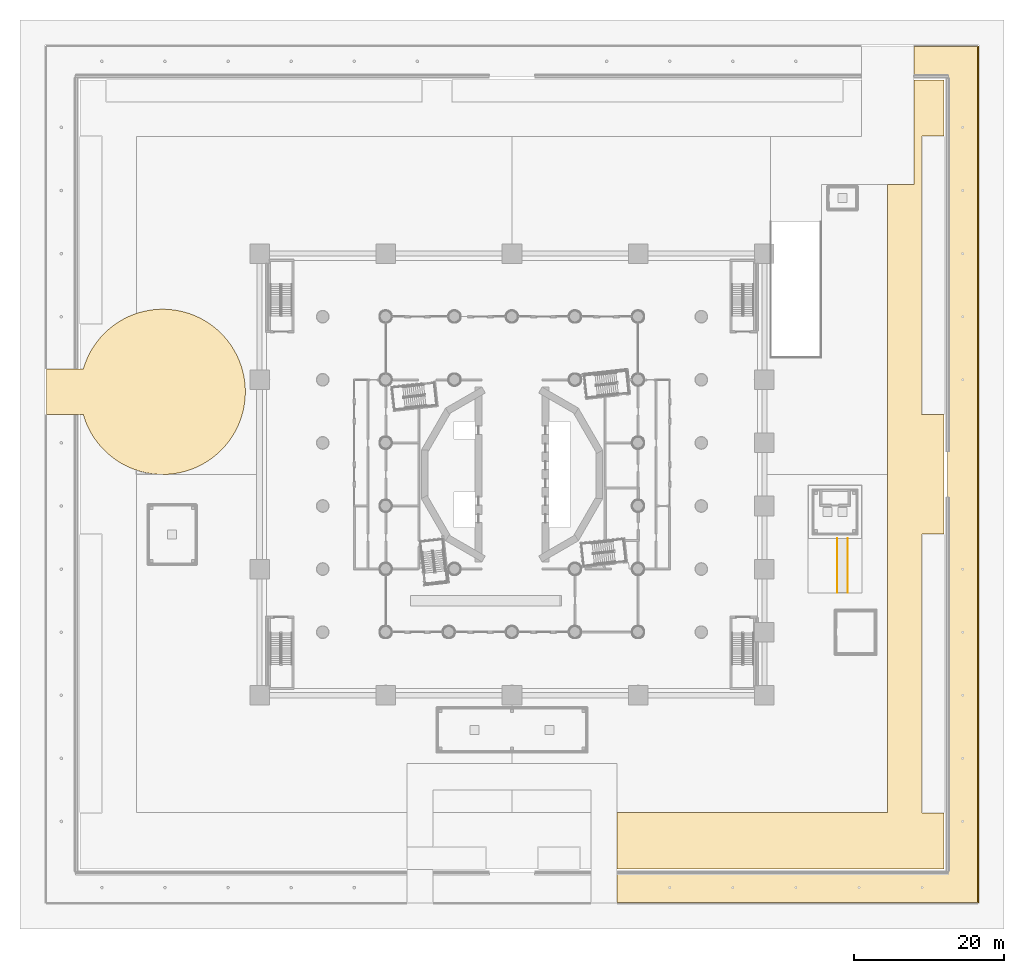
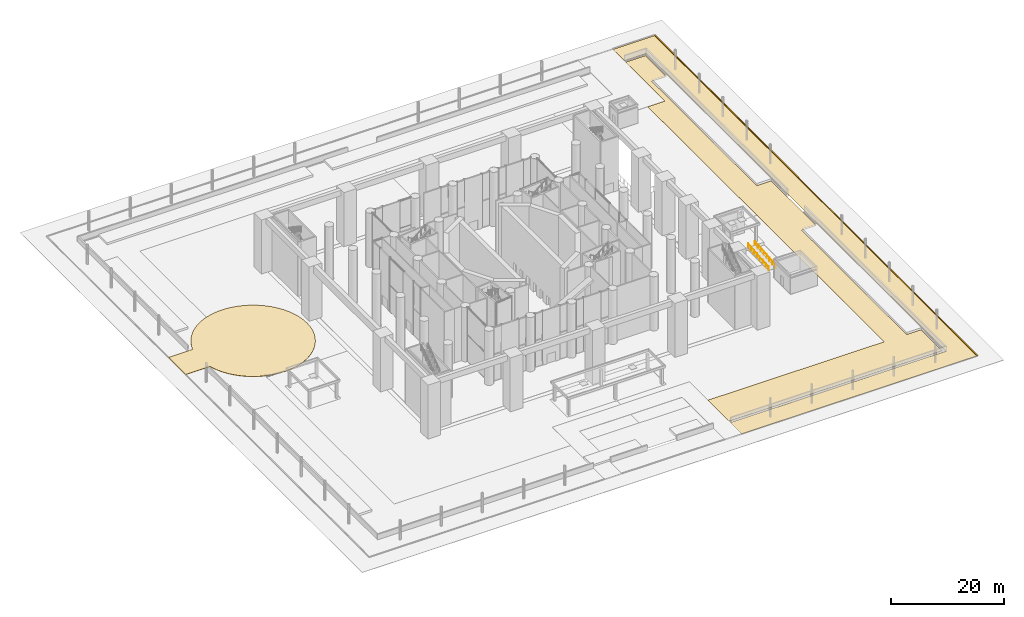
# One storey, part 37 of 52: 4 coverings, 2 railings.
"""IFC4 building model written with IfcOpenShell, lengths in metres."""

from ifc_helpers import new_model, si_unit, direction, frame, origin, origin_2d, place, context, subcontext, project, spatial, polyline, circle, outline, extrude, material, layer, layer_set, type_object, element, save


model = new_model("IFC4")

# Units and contexts
model_context = context("Model", 3, precision=1e-05, world=origin(), true_north=direction((0.0, 1.0)))
body_context = subcontext(model_context, "Body", "Model", "MODEL_VIEW")
ifc_project = project(units=[si_unit("LENGTHUNIT", "METRE"), si_unit("AREAUNIT", "SQUARE_METRE"), si_unit("VOLUMEUNIT", "CUBIC_METRE"), si_unit("PLANEANGLEUNIT", "RADIAN"), si_unit("MASSUNIT", "GRAM", prefix="KILO")], contexts=[model_context])

# Site, building, storey
site_placement = place(None, origin())
site = spatial("IfcSite", under=ifc_project, at=site_placement, CompositionType="ELEMENT")
building_placement = place(site_placement, origin())
building = spatial("IfcBuilding", under=site, at=building_placement, Name="Cantera Rosa Tower", CompositionType="ELEMENT")
storey_placement = place(building_placement, origin())
storey = spatial("IfcBuildingStorey", under=building, at=storey_placement, Name="L00", CompositionType="ELEMENT", Elevation=0.0)

# Coverings
ifc_material_1 = material(Name="Asphalt surfacing")
ifc_layer_1 = layer(ifc_material_1, 0.080078125)
ifc_layer_set_1 = layer_set([ifc_layer_1], Name="Drive surfacing 80")
covering_type_1 = type_object("IfcCoveringType", Name="Drive surfacing 80", PredefinedType="USERDEFINED", material=ifc_layer_set_1)
covering_1_placement = place(storey_placement, origin())
element("IfcCovering", 1, at=covering_1_placement, inside=storey, type_object=covering_type_1, Name="Fire-appliance route and turning area", ObjectType="DRIVE", PredefinedType="USERDEFINED", context=body_context, shape_type="SweptSolid", body=[
    extrude(outline(polyline([(-62.0, 7.949951171875), (-57.067138671875, 7.949951171875), (-57.0263671875, 7.806884765625), (-56.916259765625, 7.464111328125), (-56.794921875, 7.125244140625), (-56.66259765625, 6.79052734375), (-56.51953125, 6.460205078125), (-56.365478515625, 6.134765625), (-56.201171875, 5.814697265625), (-56.0263671875, 5.5), (-55.84130859375, 5.19140625), (-55.646240234375, 4.888671875), (-55.44140625, 4.5927734375), (-55.226806640625, 4.3037109375), (-55.003173828125, 4.021728515625), (-54.770263671875, 3.747314453125), (-54.528564453125, 3.48046875), (-54.2783203125, 3.2216796875), (-54.01953125, 2.971435546875), (-53.752685546875, 2.729736328125), (-53.478271484375, 2.496826171875), (-53.1962890625, 2.273193359375), (-52.9072265625, 2.05859375), (-52.611328125, 1.853759765625), (-52.30859375, 1.65869140625), (-52.0, 1.4736328125), (-51.685302734375, 1.298828125), (-51.365234375, 1.134521484375), (-51.039794921875, 0.98046875), (-50.70947265625, 0.83740234375), (-50.374755859375, 0.705078125), (-50.035888671875, 0.583740234375), (-49.693115234375, 0.4736328125), (-49.346923828125, 0.374755859375), (-48.997802734375, 0.287353515625), (-48.64599609375, 0.21142578125), (-48.2919921875, 0.14697265625), (-47.935791015625, 0.093994140625), (-47.578125, 0.052978515625), (-47.219482421875, 0.023681640625), (-46.85986328125, 0.005859375), (-46.5, 0.0), (-46.14013671875, 0.005859375), (-45.780517578125, 0.023681640625), (-45.421875, 0.052978515625), (-45.064208984375, 0.093994140625), (-44.7080078125, 0.14697265625), (-44.35400390625, 0.21142578125), (-44.002197265625, 0.287353515625), (-43.653076171875, 0.374755859375), (-43.306884765625, 0.4736328125), (-42.964111328125, 0.583740234375), (-42.625244140625, 0.705078125), (-42.29052734375, 0.83740234375), (-41.960205078125, 0.98046875), (-41.634765625, 1.134521484375), (-41.314697265625, 1.298828125), (-41.0, 1.4736328125), (-40.69140625, 1.65869140625), (-40.388671875, 1.853759765625), (-40.0927734375, 2.05859375), (-39.8037109375, 2.273193359375), (-39.521728515625, 2.496826171875), (-39.247314453125, 2.729736328125), (-38.98046875, 2.971435546875), (-38.7216796875, 3.2216796875), (-38.471435546875, 3.48046875), (-38.229736328125, 3.747314453125), (-37.996826171875, 4.021728515625), (-37.773193359375, 4.3037109375), (-37.55859375, 4.5927734375), (-37.353759765625, 4.888671875), (-37.15869140625, 5.19140625), (-36.9736328125, 5.5), (-36.798828125, 5.814697265625), (-36.634521484375, 6.134765625), (-36.48046875, 6.460205078125), (-36.33740234375, 6.79052734375), (-36.205078125, 7.125244140625), (-36.083740234375, 7.464111328125), (-35.9736328125, 7.806884765625), (-35.874755859375, 8.153076171875), (-35.787353515625, 8.502197265625), (-35.71142578125, 8.85400390625), (-35.64697265625, 9.2080078125), (-35.593994140625, 9.564208984375), (-35.552978515625, 9.921875), (-35.523681640625, 10.280517578125), (-35.505859375, 10.64013671875), (-35.5, 11.0), (-35.505859375, 11.35986328125), (-35.523681640625, 11.719482421875), (-35.552978515625, 12.078125), (-35.593994140625, 12.435791015625), (-35.64697265625, 12.7919921875), (-35.71142578125, 13.14599609375), (-35.787353515625, 13.497802734375), (-35.874755859375, 13.846923828125), (-35.9736328125, 14.193115234375), (-36.083740234375, 14.535888671875), (-36.205078125, 14.874755859375), (-36.33740234375, 15.20947265625), (-36.48046875, 15.539794921875), (-36.634521484375, 15.865234375), (-36.798828125, 16.185302734375), (-36.9736328125, 16.5), (-37.15869140625, 16.80859375), (-37.353759765625, 17.111328125), (-37.55859375, 17.4072265625), (-37.773193359375, 17.6962890625), (-37.996826171875, 17.978271484375), (-38.229736328125, 18.252685546875), (-38.471435546875, 18.51953125), (-38.7216796875, 18.7783203125), (-38.98046875, 19.028564453125), (-39.247314453125, 19.270263671875), (-39.521728515625, 19.503173828125), (-39.8037109375, 19.726806640625), (-40.0927734375, 19.94140625), (-40.388671875, 20.146240234375), (-40.69140625, 20.34130859375), (-41.0, 20.5263671875), (-41.314697265625, 20.701171875), (-41.634765625, 20.865478515625), (-41.960205078125, 21.01953125), (-42.29052734375, 21.16259765625), (-42.625244140625, 21.294921875), (-42.964111328125, 21.416259765625), (-43.306884765625, 21.5263671875), (-43.653076171875, 21.625244140625), (-44.002197265625, 21.712646484375), (-44.35400390625, 21.78857421875), (-44.7080078125, 21.85302734375), (-45.064208984375, 21.906005859375), (-45.421875, 21.947021484375), (-45.780517578125, 21.976318359375), (-46.14013671875, 21.994140625), (-46.5, 22.0), (-46.85986328125, 21.994140625), (-47.219482421875, 21.976318359375), (-47.578125, 21.947021484375), (-47.935791015625, 21.906005859375), (-48.2919921875, 21.85302734375), (-48.64599609375, 21.78857421875), (-48.997802734375, 21.712646484375), (-49.346923828125, 21.625244140625), (-49.693115234375, 21.5263671875), (-50.035888671875, 21.416259765625), (-50.374755859375, 21.294921875), (-50.70947265625, 21.16259765625), (-51.039794921875, 21.01953125), (-51.365234375, 20.865478515625), (-51.685302734375, 20.701171875), (-52.0, 20.5263671875), (-52.30859375, 20.34130859375), (-52.611328125, 20.146240234375), (-52.9072265625, 19.94140625), (-53.1962890625, 19.726806640625), (-53.478271484375, 19.503173828125), (-53.752685546875, 19.270263671875), (-54.01953125, 19.028564453125), (-54.2783203125, 18.7783203125), (-54.528564453125, 18.51953125), (-54.770263671875, 18.252685546875), (-55.003173828125, 17.978271484375), (-55.226806640625, 17.6962890625), (-55.44140625, 17.4072265625), (-55.646240234375, 17.111328125), (-55.84130859375, 16.80859375), (-56.0263671875, 16.5), (-56.201171875, 16.185302734375), (-56.365478515625, 15.865234375), (-56.51953125, 15.539794921875), (-56.66259765625, 15.20947265625), (-56.794921875, 14.874755859375), (-56.916259765625, 14.535888671875), (-57.0263671875, 14.193115234375), (-57.067138671875, 14.050048828125), (-62.0, 14.050048828125), (-62.0, 7.949951171875)])), origin(), (0.0, 0.0, 1.0), 0.080078125),
])
ifc_material_2 = material(Name="Stone paving", Category="masonry")
ifc_layer_2 = layer(ifc_material_2, 0.06005859375)
ifc_layer_set_2 = layer_set([ifc_layer_2], Name="Footway paving 60")
covering_type_2 = type_object("IfcCoveringType", Name="Footway paving 60", PredefinedType="USERDEFINED", material=ifc_layer_set_2)
covering_2_placement = place(storey_placement, origin())
element("IfcCovering", 2, at=covering_2_placement, inside=storey, type_object=covering_type_2, Name="Street footway paving", ObjectType="PAVING", PredefinedType="USERDEFINED", context=body_context, shape_type="SweptSolid", body=[
    extrude(outline(polyline([(62.0, 57.0), (53.5, 57.0), (53.5, 53.0), (58.0, 53.0), (58.0, -53.0), (14.0, -53.0), (14.0, -57.0), (62.0, -57.0), (62.0, 57.0)])), origin(), (0.0, 0.0, 1.0), 0.06005859375),
])
ifc_material_3 = material(Name="Granite kerb", Category="masonry")
ifc_layer_3 = layer(ifc_material_3, 0.14990234375)
ifc_layer_set_3 = layer_set([ifc_layer_3], Name="Kerb 150x150")
covering_type_3 = type_object("IfcCoveringType", Name="Kerb 150x150", PredefinedType="USERDEFINED", material=ifc_layer_set_3)
covering_3_placement = place(storey_placement, origin())
element("IfcCovering", 3, at=covering_3_placement, inside=storey, type_object=covering_type_3, Name="Kerb E1", ObjectType="KERB", PredefinedType="USERDEFINED", context=body_context, shape_type="SweptSolid", body=[
    extrude(outline(polyline([(62.14990234375, -57.0), (62.14990234375, 57.0), (62.0, 57.0), (62.0, -57.0), (62.14990234375, -57.0)])), origin(), (0.0, 0.0, 1.0), 0.14990234375),
])
ifc_material_4 = material(Name="Stone paving", Category="masonry")
ifc_layer_4 = layer(ifc_material_4, 0.0400390625)
ifc_layer_set_4 = layer_set([ifc_layer_4], Name="Plaza paving 40")
covering_type_4 = type_object("IfcCoveringType", Name="Plaza paving 40", PredefinedType="USERDEFINED", material=ifc_layer_set_4)
covering_4_placement = place(storey_placement, origin())
element("IfcCovering", 4, at=covering_4_placement, inside=storey, type_object=covering_type_4, Name="Paving of the plot yard", ObjectType="PAVING", PredefinedType="USERDEFINED", context=body_context, shape_type="SweptSolid", body=[
    extrude(outline(polyline([(50.0, -45.0), (14.0, -45.0), (14.0, -52.5), (57.5, -52.5), (57.5, -45.050048828125), (54.60009765625, -45.050048828125), (54.59521484375, -45.0498046875), (54.590087890625, -45.049072265625), (54.58544921875, -45.0478515625), (54.580810546875, -45.046142578125), (54.576416015625, -45.044189453125), (54.572265625, -45.04150390625), (54.568359375, -45.038818359375), (54.564697265625, -45.035400390625), (54.561279296875, -45.03173828125), (54.558349609375, -45.02783203125), (54.555908203125, -45.023681640625), (54.5537109375, -45.01904296875), (54.55224609375, -45.014404296875), (54.551025390625, -45.009765625), (54.55029296875, -45.0048828125), (54.550048828125, -45.0), (54.550048828125, -8.0), (54.55029296875, -7.9951171875), (54.551025390625, -7.990234375), (54.55224609375, -7.985595703125), (54.5537109375, -7.98095703125), (54.555908203125, -7.976318359375), (54.558349609375, -7.97216796875), (54.561279296875, -7.96826171875), (54.564697265625, -7.964599609375), (54.568359375, -7.961181640625), (54.572265625, -7.95849609375), (54.576416015625, -7.955810546875), (54.580810546875, -7.953857421875), (54.58544921875, -7.9521484375), (54.590087890625, -7.950927734375), (54.59521484375, -7.9501953125), (54.60009765625, -7.949951171875), (57.5, -7.949951171875), (57.5, 7.949951171875), (54.60009765625, 7.949951171875), (54.59521484375, 7.9501953125), (54.590087890625, 7.950927734375), (54.58544921875, 7.9521484375), (54.580810546875, 7.953857421875), (54.576416015625, 7.955810546875), (54.572265625, 7.95849609375), (54.568359375, 7.961181640625), (54.564697265625, 7.964599609375), (54.561279296875, 7.96826171875), (54.558349609375, 7.97216796875), (54.555908203125, 7.976318359375), (54.5537109375, 7.98095703125), (54.55224609375, 7.985595703125), (54.551025390625, 7.990234375), (54.55029296875, 7.9951171875), (54.550048828125, 8.0), (54.550048828125, 45.0), (54.55029296875, 45.0048828125), (54.551025390625, 45.009765625), (54.55224609375, 45.014404296875), (54.5537109375, 45.01904296875), (54.555908203125, 45.023681640625), (54.558349609375, 45.02783203125), (54.561279296875, 45.03173828125), (54.564697265625, 45.035400390625), (54.568359375, 45.038818359375), (54.572265625, 45.04150390625), (54.576416015625, 45.044189453125), (54.580810546875, 45.046142578125), (54.58544921875, 45.0478515625), (54.590087890625, 45.049072265625), (54.59521484375, 45.0498046875), (54.60009765625, 45.050048828125), (57.5, 45.050048828125), (57.5, 52.5), (53.5, 52.5), (53.5, 45.0), (53.5, 38.60009765625), (50.0, 38.60009765625), (50.0, -45.0)])), origin(), (0.0, 0.0, 1.0), 0.0400390625),
])

# Railings
ifc_material_5 = material(Name="Steel S355J2 (EN 10025-2)", Category="steel")
railing_type = type_object("IfcRailingType", Name="Ramp handrail 900", PredefinedType="HANDRAIL", material=ifc_material_5)
for number, where, name in (
    (5, (43.300048828125, -15.699951171875, 0.0), "Ramp handrail a"),
    (6, (44.699951171875, -15.699951171875, 0.0), "Ramp handrail b"),
):
    element("IfcRailing", number, at=place(storey_placement, frame(where)), inside=storey, type_object=railing_type, Name=name, PredefinedType="HANDRAIL", context=body_context, shape_type="SweptSolid", body=[
        extrude(circle(Radius=0.02392578125, at=origin_2d()), frame((0.0, 0.0, 0.8759765625), z_axis=(0.0, 0.996544592923, 0.083059462528), x_axis=(-1.0, 0.0, 0.0)), (0.0, 0.0, 1.0), 7.224853515625),
        extrude(circle(Radius=0.02099609375, at=origin_2d()), origin(), (0.0, 0.0, 1.0), 0.851806640625),
        extrude(circle(Radius=0.02099609375, at=origin_2d()), frame((0.0, 1.028564453125, 0.085693359375)), (0.0, 0.0, 1.0), 0.851806640625),
        extrude(circle(Radius=0.02099609375, at=origin_2d()), frame((0.0, 2.05712890625, 0.17138671875)), (0.0, 0.0, 1.0), 0.851806640625),
        extrude(circle(Radius=0.02099609375, at=origin_2d()), frame((0.0, 3.085693359375, 0.257080078125)), (0.0, 0.0, 1.0), 0.851806640625),
        extrude(circle(Radius=0.02099609375, at=origin_2d()), frame((0.0, 4.1142578125, 0.343017578125)), (0.0, 0.0, 1.0), 0.851806640625),
        extrude(circle(Radius=0.02099609375, at=origin_2d()), frame((0.0, 5.142822265625, 0.4287109375)), (0.0, 0.0, 1.0), 0.851806640625),
        extrude(circle(Radius=0.02099609375, at=origin_2d()), frame((0.0, 6.17138671875, 0.514404296875)), (0.0, 0.0, 1.0), 0.851806640625),
        extrude(circle(Radius=0.02099609375, at=origin_2d()), frame((0.0, 7.199951171875, 0.60009765625)), (0.0, 0.0, 1.0), 0.851806640625),
    ])

save(model, "model.ifc")
